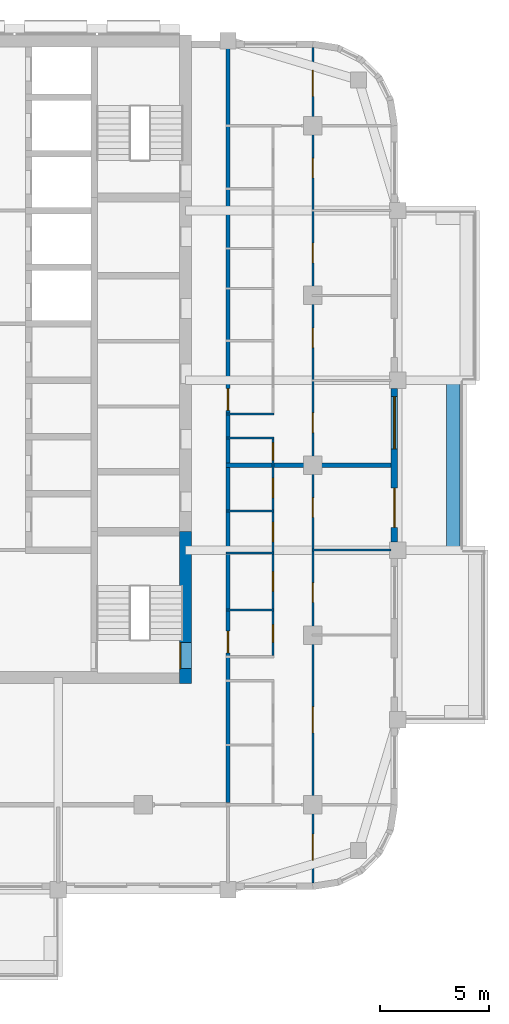
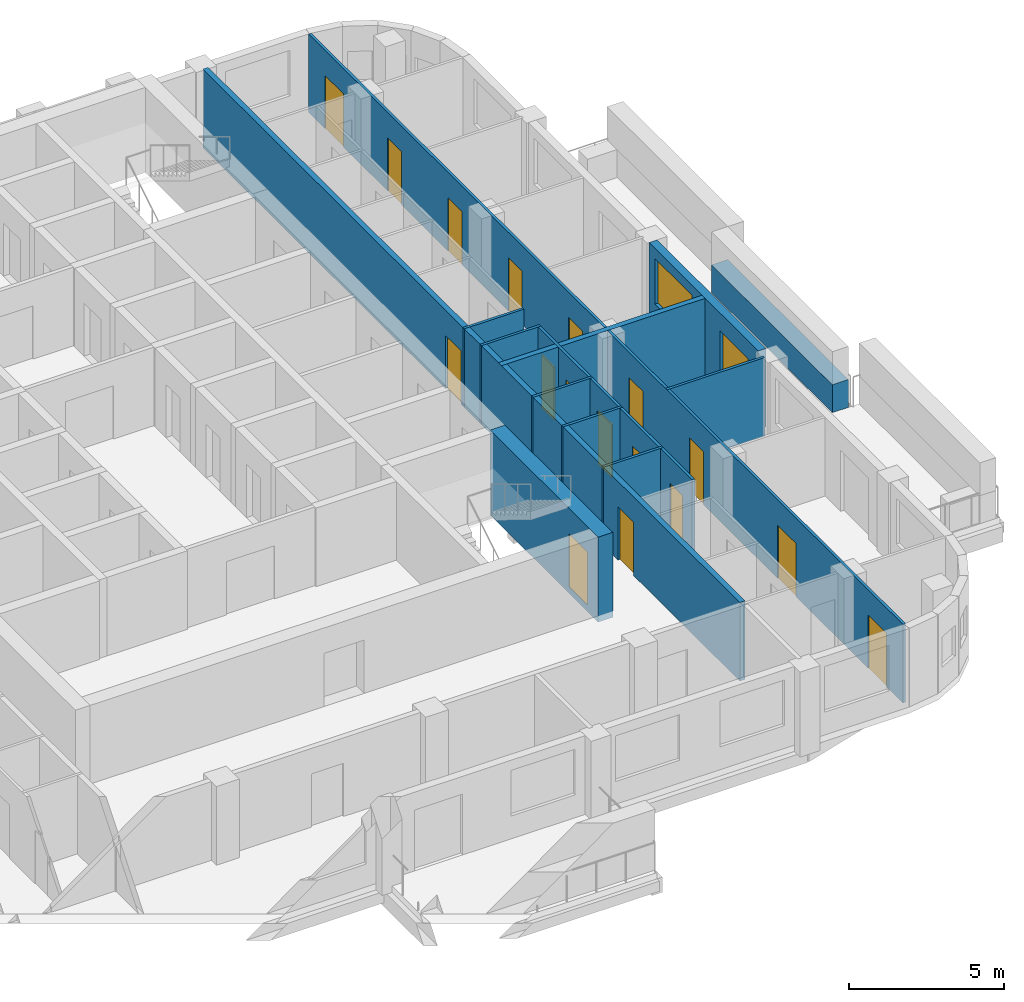
# One storey, part 6 of 13: 18 doors, 13 walls, 1 window, 19 openings.
"""IFC4 building model written with IfcOpenShell, lengths in metres."""

from ifc_helpers import new_model, si_unit, direction, frame, frame_2d, origin, place, context, subcontext, project, spatial, rectangle, extrude, material, layer, layer_set, type_object, element, fill, save


model = new_model("IFC4")

# Units and contexts
model_context = context("Model", 3, precision=1e-05, world=origin(), true_north=direction((0.0, 1.0)))
body_context = subcontext(model_context, "Body", "Model", "MODEL_VIEW")
ifc_project = project(units=[si_unit("LENGTHUNIT", "METRE"), si_unit("AREAUNIT", "SQUARE_METRE"), si_unit("VOLUMEUNIT", "CUBIC_METRE"), si_unit("PLANEANGLEUNIT", "RADIAN"), si_unit("MASSUNIT", "GRAM", prefix="KILO")], contexts=[model_context])

# Site, building, storey
site_placement = place(None, origin())
site = spatial("IfcSite", under=ifc_project, at=site_placement, CompositionType="ELEMENT")
building_placement = place(site_placement, origin())
building = spatial("IfcBuilding", under=site, at=building_placement, Name="Ludao Terraces", CompositionType="ELEMENT")
storey_placement = place(building_placement, frame((0.0, 0.0, 169.0)))
storey = spatial("IfcBuildingStorey", under=building, at=storey_placement, Name="L46", CompositionType="ELEMENT", Elevation=169.0)

# Wall, opening, door
ifc_material_1 = material(Name="Concrete C60", Category="concrete")
ifc_layer_1 = layer(ifc_material_1, 0.550048828125)
ifc_layer_set_1 = layer_set([ifc_layer_1], Name="Core wall 550 C60")
wall_type_1 = type_object("IfcWallType", Name="Core wall 550 C60", PredefinedType="SOLIDWALL", material=ifc_layer_set_1)
wall_1_placement = place(storey_placement, frame((94.75, 54.97509765625, -0.25), z_axis=(0.0, 0.0, 1.0), x_axis=(0.0, 1.0, 0.0)))
wall_1 = element("IfcWall", 1, at=wall_1_placement, inside=storey, type_object=wall_type_1, Name="Core wall L46 outer-E-S3", PredefinedType="SOLIDWALL", context=body_context, shape_type="SweptSolid", body=[
    extrude(rectangle(XDim=6.974853515625, YDim=0.550048828125, at=frame_2d((3.4873046875, 0.0))), origin(), (0.0, 0.0, 1.0), 3.35009765625),
])
opening_1_placement = place(wall_1_placement, frame((0.675048828125, 0.0, 0.25)))
opening_1 = element("IfcOpeningElement", 2, at=opening_1_placement, cuts=wall_1, Name="Opening R16-017", PredefinedType="OPENING", context=body_context, shape_type="SweptSolid", body=[
    extrude(rectangle(XDim=1.199951171875, YDim=2.10009765625, at=frame_2d((0.60009765625, 1.050048828125))), frame((0.0, 0.28515625, 0.0), z_axis=(0.0, -1.0, 0.0), x_axis=(1.0, 0.0, 0.0)), (0.0, 0.0, 1.0), 0.570068359375),
])
ifc_material_2 = material(Name="Steel Q235", Category="steel")
door_type_1 = type_object("IfcDoorType", Name="INT Stair door 1200", OperationType="DOUBLE_DOOR_SINGLE_SWING", PredefinedType="DOOR", material=ifc_material_2)
door_1_placement = place(opening_1_placement, origin())
door_1 = element("IfcDoor", 3, at=door_1_placement, inside=storey, type_object=door_type_1, Name="DOOR 017", OperationType="DOUBLE_DOOR_SINGLE_SWING", OverallHeight=2.10009765625, OverallWidth=1.199951171875, PredefinedType="DOOR", context=body_context, shape_type="SweptSolid", body=[
    extrude(rectangle(XDim=1.199951171875, YDim=2.10009765625, at=frame_2d((0.60009765625, 1.050048828125))), frame((0.0, 0.26025390625, 0.0), z_axis=(0.0, -1.0, 0.0), x_axis=(1.0, 0.0, 0.0)), (0.0, 0.0, 1.0), 0.050048828125),
])
fill(opening_1, door_1)

# Wall
ifc_material_3 = material(Name="Concrete C40", Category="concrete")
ifc_layer_2 = layer(ifc_material_3, 0.60009765625)
ifc_layer_set_2 = layer_set([ifc_layer_2], Name="ENV Planter trough 600")
wall_type_2 = type_object("IfcWallType", Name="ENV Planter trough 600", PredefinedType="USERDEFINED", material=ifc_layer_set_2)
wall_2_placement = place(storey_placement, frame((107.050048828125, 61.10009765625, 0.0), z_axis=(0.0, 0.0, 1.0), x_axis=(0.0, 1.0, 0.0)))
element("IfcWall", 4, at=wall_2_placement, inside=storey, type_object=wall_type_2, Name="PL-L46-E2", ObjectType="PLANTER", PredefinedType="USERDEFINED", context=body_context, shape_type="SweptSolid", body=[
    extrude(rectangle(XDim=7.7998046875, YDim=0.60009765625, at=frame_2d((3.89990234375, 0.0))), origin(), (0.0, 0.0, 1.0), 1.10009765625),
])

# Wall, openings, door, window
ifc_material_4 = material(Name="Granite cladding", Category="masonry")
ifc_layer_3 = layer(ifc_material_4, 0.0400390625, Category="stone")
ifc_material_5 = material(Name="Mineral wool")
ifc_layer_4 = layer(ifc_material_5, 0.06005859375)
ifc_layer_5 = layer(ifc_material_3, 0.199951171875, Category="concrete")
ifc_layer_set_3 = layer_set([ifc_layer_3, ifc_layer_4, ifc_layer_5], Name="ENV Stone-clad wall 300")
wall_type_3 = type_object("IfcWallType", Name="ENV Stone-clad wall 300", PredefinedType="SOLIDWALL", material=ifc_layer_set_3)
wall_3_placement = place(storey_placement, frame((104.35009765625, 61.47509765625, 0.0), z_axis=(0.0, 0.0, 1.0), x_axis=(0.0, 1.0, 0.0)))
wall_3 = element("IfcWall", 5, at=wall_3_placement, inside=storey, type_object=wall_type_3, Name="EW-L46-E3", PredefinedType="SOLIDWALL", context=body_context, shape_type="SweptSolid", body=[
    extrude(rectangle(XDim=7.0498046875, YDim=0.300048828125, at=frame_2d((3.52490234375, 0.0))), origin(), (0.0, 0.0, 1.0), 3.10009765625),
])
opening_2_placement = place(wall_3_placement, frame((0.675048828125, 0.0, 0.0)))
opening_2 = element("IfcOpeningElement", 6, at=opening_2_placement, cuts=wall_3, Name="Opening BD", PredefinedType="OPENING", context=body_context, shape_type="SweptSolid", body=[
    extrude(rectangle(XDim=1.800048828125, YDim=2.39990234375, at=frame_2d((0.89990234375, 1.199951171875))), frame((0.0, 0.16015625, 0.0), z_axis=(0.0, -1.0, 0.0), x_axis=(1.0, 0.0, 0.0)), (0.0, 0.0, 1.0), 0.320068359375),
])
opening_3_placement = place(wall_3_placement, frame((4.27490234375, 0.0, 0.89990234375)))
opening_3 = element("IfcOpeningElement", 7, at=opening_3_placement, cuts=wall_3, Name="Opening W1", PredefinedType="OPENING", context=body_context, shape_type="SweptSolid", body=[
    extrude(rectangle(XDim=2.39990234375, YDim=1.800048828125, at=frame_2d((1.199951171875, 0.89990234375))), frame((0.0, 0.16015625, 0.0), z_axis=(0.0, -1.0, 0.0), x_axis=(1.0, 0.0, 0.0)), (0.0, 0.0, 1.0), 0.320068359375),
])
ifc_material_6 = material(Name="Aluminium glazed door", Category="aluminium")
ifc_layer_6 = layer(ifc_material_6, 0.06005859375)
ifc_layer_set_4 = layer_set([ifc_layer_6], Name="ENV Balcony door BD 1800x2400")
door_type_2 = type_object("IfcDoorType", Name="ENV Balcony door BD 1800x2400", OperationType="DOUBLE_DOOR_SINGLE_SWING", PredefinedType="DOOR", material=ifc_layer_set_4)
door_2_placement = place(opening_2_placement, origin())
door_2 = element("IfcDoor", 8, at=door_2_placement, inside=storey, type_object=door_type_2, Name="BD-L46-E3-1", OperationType="DOUBLE_DOOR_SINGLE_SWING", OverallHeight=2.39990234375, OverallWidth=1.800048828125, PredefinedType="DOOR", context=body_context, shape_type="SweptSolid", body=[
    extrude(rectangle(XDim=1.800048828125, YDim=2.39990234375, at=frame_2d((0.89990234375, 1.199951171875))), frame((0.0, 0.02490234375, 0.0), z_axis=(0.0, -1.0, 0.0), x_axis=(1.0, 0.0, 0.0)), (0.0, 0.0, 1.0), 0.050048828125),
])
fill(opening_2, door_2)
ifc_material_7 = material(Name="Clear glass in aluminium frame", Category="aluminium")
ifc_layer_7 = layer(ifc_material_7, 0.06005859375)
ifc_layer_set_5 = layer_set([ifc_layer_7], Name="ENV Window W1 2400x1800")
window_type = type_object("IfcWindowType", Name="ENV Window W1 2400x1800", PartitioningType="DOUBLE_PANEL_VERTICAL", PredefinedType="WINDOW", material=ifc_layer_set_5)
window_placement = place(opening_3_placement, origin())
window = element("IfcWindow", 9, at=window_placement, inside=storey, type_object=window_type, Name="W-L46-E3-2", OverallHeight=1.800048828125, OverallWidth=2.39990234375, PartitioningType="DOUBLE_PANEL_VERTICAL", PredefinedType="WINDOW", context=body_context, shape_type="SweptSolid", body=[
    extrude(rectangle(XDim=2.39990234375, YDim=1.800048828125, at=frame_2d((1.199951171875, 0.89990234375))), frame((0.0, 0.030029296875, 0.0), z_axis=(0.0, -1.0, 0.0), x_axis=(1.0, 0.0, 0.0)), (0.0, 0.0, 1.0), 0.06005859375),
])
fill(opening_3, window)

# Wall, openings, doors
ifc_material_8 = material(Name="Autoclaved aerated concrete block B06 A3.5", Category="concrete")
ifc_layer_8 = layer(ifc_material_8, 0.199951171875)
ifc_layer_set_6 = layer_set([ifc_layer_8], Name="INT Entrance wall 200")
wall_type_4 = type_object("IfcWallType", Name="INT Entrance wall 200", PredefinedType="PARTITIONING", material=ifc_layer_set_6)
wall_4_placement = place(storey_placement, frame((96.699951171875, 49.5, 0.0), z_axis=(0.0, 0.0, 1.0), x_axis=(0.0, 1.0, 0.0)))
wall_4 = element("IfcWall", 10, at=wall_4_placement, inside=storey, type_object=wall_type_4, Name="PW-L46-PW058", PredefinedType="PARTITIONING", context=body_context, shape_type="SweptSolid", body=[
    extrude(rectangle(XDim=34.7001953125, YDim=0.199951171875, at=frame_2d((17.35009765625, 0.0))), origin(), (0.0, 0.0, 1.0), 3.10009765625),
])
opening_4_placement = place(wall_4_placement, frame((6.875, 0.0, 0.0)))
opening_4 = element("IfcOpeningElement", 11, at=opening_4_placement, cuts=wall_4, Name="Opening R16-018", PredefinedType="OPENING", context=body_context, shape_type="SweptSolid", body=[
    extrude(rectangle(XDim=1.0, YDim=2.10009765625, at=frame_2d((0.5, 1.050048828125))), frame((0.0, 0.10986328125, 0.0), z_axis=(0.0, -1.0, 0.0), x_axis=(1.0, 0.0, 0.0)), (0.0, 0.0, 1.0), 0.219970703125),
])
opening_5_placement = place(wall_4_placement, frame((18.025146484375, 0.0, 0.0)))
opening_5 = element("IfcOpeningElement", 12, at=opening_5_placement, cuts=wall_4, Name="Opening R16-046", PredefinedType="OPENING", context=body_context, shape_type="SweptSolid", body=[
    extrude(rectangle(XDim=1.0, YDim=2.10009765625, at=frame_2d((0.5, 1.050048828125))), frame((0.0, 0.10986328125, 0.0), z_axis=(0.0, -1.0, 0.0), x_axis=(1.0, 0.0, 0.0)), (0.0, 0.0, 1.0), 0.219970703125),
])
door_type_3 = type_object("IfcDoorType", Name="INT Flat entrance door 1000", OperationType="SINGLE_SWING_LEFT", PredefinedType="DOOR", material=ifc_material_2)
door_3_placement = place(opening_4_placement, origin())
door_3 = element("IfcDoor", 13, at=door_3_placement, inside=storey, type_object=door_type_3, Name="DOOR 018", OperationType="SINGLE_SWING_LEFT", OverallHeight=2.10009765625, OverallWidth=1.0, PredefinedType="DOOR", context=body_context, shape_type="SweptSolid", body=[
    extrude(rectangle(XDim=1.0, YDim=2.10009765625, at=frame_2d((0.5, 1.050048828125))), frame((0.0, 0.02490234375, 0.0), z_axis=(0.0, -1.0, 0.0), x_axis=(1.0, 0.0, 0.0)), (0.0, 0.0, 1.0), 0.050048828125),
])
fill(opening_4, door_3)
door_4_placement = place(opening_5_placement, origin())
door_4 = element("IfcDoor", 14, at=door_4_placement, inside=storey, type_object=door_type_3, Name="DOOR 046", OperationType="SINGLE_SWING_LEFT", OverallHeight=2.10009765625, OverallWidth=1.0, PredefinedType="DOOR", context=body_context, shape_type="SweptSolid", body=[
    extrude(rectangle(XDim=1.0, YDim=2.10009765625, at=frame_2d((0.5, 1.050048828125))), frame((0.0, 0.02490234375, 0.0), z_axis=(0.0, -1.0, 0.0), x_axis=(1.0, 0.0, 0.0)), (0.0, 0.0, 1.0), 0.050048828125),
])
fill(opening_5, door_4)

# Walls
ifc_material_9 = material(Name="Gypsum plasterboard", Category="gypsum")
ifc_layer_9 = layer(ifc_material_9, 0.012451171875, Category="gypsum")
ifc_layer_10 = layer(ifc_material_5, 0.06005859375, Name="insulation")
ifc_layer_11 = layer(ifc_material_2, 0.014892578125, Name="stud")
ifc_layer_12 = layer(ifc_material_9, 0.012451171875, Category="gypsum")
ifc_layer_set_7 = layer_set([ifc_layer_9, ifc_layer_10, ifc_layer_11, ifc_layer_12], Name="INT Partition 100")
wall_type_5 = type_object("IfcWallType", Name="INT Partition 100", PredefinedType="PARTITIONING", material=ifc_layer_set_7)
for number, where, z_axis, x_axis, name in (
    (15, (96.60009765625, 58.35009765625, 0.0), (0.0, 0.0, 1.0), (1.0, 0.0, 0.0), "PW-L46-PW012"),
    (16, (96.60009765625, 60.969970703125, 0.0), (0.0, 0.0, 1.0), (1.0, 0.0, 0.0), "PW-L46-PW014"),
):
    element("IfcWall", number, at=place(storey_placement, frame(where, z_axis=z_axis, x_axis=x_axis)), inside=storey, type_object=wall_type_5, Name=name, PredefinedType="PARTITIONING", context=body_context, shape_type="SweptSolid", body=[
        extrude(rectangle(XDim=2.219970703125, YDim=0.10009765625, at=frame_2d((1.10986328125, 0.0))), origin(), (0.0, 0.0, 1.0), 3.10009765625),
    ])
wall_5_placement = place(storey_placement, frame((100.550048828125, 61.10009765625, 0.0), z_axis=(0.0, 0.0, 1.0), x_axis=(1.0, 0.0, 0.0)))
element("IfcWall", 17, at=wall_5_placement, inside=storey, type_object=wall_type_5, Name="PW-L46-PW017", PredefinedType="PARTITIONING", context=body_context, shape_type="SweptSolid", body=[
    extrude(rectangle(XDim=3.650146484375, YDim=0.10009765625, at=frame_2d((1.8251953125, 0.0))), origin(), (0.0, 0.0, 1.0), 3.10009765625),
])
for number, where, z_axis, x_axis, name in (
    (18, (96.60009765625, 62.89990234375, 0.0), (0.0, 0.0, 1.0), (1.0, 0.0, 0.0), "PW-L46-PW019"),
    (19, (96.60009765625, 66.25, 0.0), (0.0, 0.0, 1.0), (1.0, 0.0, 0.0), "PW-L46-PW023"),
    (20, (96.60009765625, 67.35009765625, 0.0), (0.0, 0.0, 1.0), (1.0, 0.0, 0.0), "PW-L46-PW025"),
):
    element("IfcWall", number, at=place(storey_placement, frame(where, z_axis=z_axis, x_axis=x_axis)), inside=storey, type_object=wall_type_5, Name=name, PredefinedType="PARTITIONING", context=body_context, shape_type="SweptSolid", body=[
        extrude(rectangle(XDim=2.219970703125, YDim=0.10009765625, at=frame_2d((1.10986328125, 0.0))), origin(), (0.0, 0.0, 1.0), 3.10009765625),
    ])

# Wall, openings, doors
wall_6_placement = place(storey_placement, frame((98.77001953125, 56.25, 0.0), z_axis=(0.0, 0.0, 1.0), x_axis=(0.0, 1.0, 0.0)))
wall_6 = element("IfcWall", 21, at=wall_6_placement, inside=storey, type_object=wall_type_5, Name="PW-L46-PW060", PredefinedType="PARTITIONING", context=body_context, shape_type="SweptSolid", body=[
    extrude(rectangle(XDim=9.9501953125, YDim=0.10009765625, at=frame_2d((4.97509765625, 0.0))), origin(), (0.0, 0.0, 1.0), 3.10009765625),
])
opening_6_placement = place(wall_6_placement, frame((0.625, 0.0, 0.0)))
opening_6 = element("IfcOpeningElement", 22, at=opening_6_placement, cuts=wall_6, Name="Opening R16-019", PredefinedType="OPENING", context=body_context, shape_type="SweptSolid", body=[
    extrude(rectangle(XDim=0.800048828125, YDim=2.10009765625, at=frame_2d((0.39990234375, 1.050048828125))), frame((0.0, 0.06005859375, 0.0), z_axis=(0.0, -1.0, 0.0), x_axis=(1.0, 0.0, 0.0)), (0.0, 0.0, 1.0), 0.1201171875),
])
opening_7_placement = place(wall_6_placement, frame((2.960205078125, 0.0, 0.0)))
opening_7 = element("IfcOpeningElement", 23, at=opening_7_placement, cuts=wall_6, Name="Opening R16-023", PredefinedType="OPENING", context=body_context, shape_type="SweptSolid", body=[
    extrude(rectangle(XDim=0.89990234375, YDim=2.10009765625, at=frame_2d((0.449951171875, 1.050048828125))), frame((0.0, 0.06005859375, 0.0), z_axis=(0.0, -1.0, 0.0), x_axis=(1.0, 0.0, 0.0)), (0.0, 0.0, 1.0), 0.1201171875),
])
opening_8_placement = place(wall_6_placement, frame((5.235107421875, 0.0, 0.0)))
opening_8 = element("IfcOpeningElement", 24, at=opening_8_placement, cuts=wall_6, Name="Opening R16-026", PredefinedType="OPENING", context=body_context, shape_type="SweptSolid", body=[
    extrude(rectangle(XDim=0.89990234375, YDim=2.10009765625, at=frame_2d((0.449951171875, 1.050048828125))), frame((0.0, 0.06005859375, 0.0), z_axis=(0.0, -1.0, 0.0), x_axis=(1.0, 0.0, 0.0)), (0.0, 0.0, 1.0), 0.1201171875),
])
opening_9_placement = place(wall_6_placement, frame((7.25, 0.0, 0.0)))
opening_9 = element("IfcOpeningElement", 25, at=opening_9_placement, cuts=wall_6, Name="Opening R16-033", PredefinedType="OPENING", context=body_context, shape_type="SweptSolid", body=[
    extrude(rectangle(XDim=0.89990234375, YDim=2.10009765625, at=frame_2d((0.449951171875, 1.050048828125))), frame((0.0, 0.06005859375, 0.0), z_axis=(0.0, -1.0, 0.0), x_axis=(1.0, 0.0, 0.0)), (0.0, 0.0, 1.0), 0.1201171875),
])
opening_10_placement = place(wall_6_placement, frame((8.97509765625, 0.0, 0.0)))
opening_10 = element("IfcOpeningElement", 26, at=opening_10_placement, cuts=wall_6, Name="Opening R16-038", PredefinedType="OPENING", context=body_context, shape_type="SweptSolid", body=[
    extrude(rectangle(XDim=0.800048828125, YDim=2.10009765625, at=frame_2d((0.39990234375, 1.050048828125))), frame((0.0, 0.06005859375, 0.0), z_axis=(0.0, -1.0, 0.0), x_axis=(1.0, 0.0, 0.0)), (0.0, 0.0, 1.0), 0.1201171875),
])
ifc_material_10 = material(Name="Timber door leaf", Category="wood")
door_type_4 = type_object("IfcDoorType", Name="INT Bathroom door 900", OperationType="SINGLE_SWING_LEFT", PredefinedType="DOOR", material=ifc_material_10)
door_5_placement = place(opening_8_placement, origin())
door_5 = element("IfcDoor", 27, at=door_5_placement, inside=storey, type_object=door_type_4, Name="DOOR 026", OperationType="SINGLE_SWING_RIGHT", OverallHeight=2.10009765625, OverallWidth=0.89990234375, PredefinedType="DOOR", context=body_context, shape_type="SweptSolid", body=[
    extrude(rectangle(XDim=0.89990234375, YDim=2.10009765625, at=frame_2d((0.449951171875, 1.050048828125))), frame((0.0, 0.02490234375, 0.0), z_axis=(0.0, -1.0, 0.0), x_axis=(1.0, 0.0, 0.0)), (0.0, 0.0, 1.0), 0.050048828125),
])
fill(opening_8, door_5)
door_6_placement = place(opening_9_placement, origin())
door_6 = element("IfcDoor", 28, at=door_6_placement, inside=storey, type_object=door_type_4, Name="DOOR 033", OperationType="SINGLE_SWING_LEFT", OverallHeight=2.10009765625, OverallWidth=0.89990234375, PredefinedType="DOOR", context=body_context, shape_type="SweptSolid", body=[
    extrude(rectangle(XDim=0.89990234375, YDim=2.10009765625, at=frame_2d((0.449951171875, 1.050048828125))), frame((0.0, 0.02490234375, 0.0), z_axis=(0.0, -1.0, 0.0), x_axis=(1.0, 0.0, 0.0)), (0.0, 0.0, 1.0), 0.050048828125),
])
fill(opening_9, door_6)
door_type_5 = type_object("IfcDoorType", Name="INT Room door 900", OperationType="SINGLE_SWING_LEFT", PredefinedType="DOOR", material=ifc_material_10)
door_7_placement = place(opening_7_placement, origin())
door_7 = element("IfcDoor", 29, at=door_7_placement, inside=storey, type_object=door_type_5, Name="DOOR 023", OperationType="SINGLE_SWING_LEFT", OverallHeight=2.10009765625, OverallWidth=0.89990234375, PredefinedType="DOOR", context=body_context, shape_type="SweptSolid", body=[
    extrude(rectangle(XDim=0.89990234375, YDim=2.10009765625, at=frame_2d((0.449951171875, 1.050048828125))), frame((0.0, 0.02490234375, 0.0), z_axis=(0.0, -1.0, 0.0), x_axis=(1.0, 0.0, 0.0)), (0.0, 0.0, 1.0), 0.050048828125),
])
fill(opening_7, door_7)
door_type_6 = type_object("IfcDoorType", Name="INT Store door 800", OperationType="SINGLE_SWING_LEFT", PredefinedType="DOOR", material=ifc_material_10)
door_8_placement = place(opening_6_placement, origin())
door_8 = element("IfcDoor", 30, at=door_8_placement, inside=storey, type_object=door_type_6, Name="DOOR 019", OperationType="SINGLE_SWING_RIGHT", OverallHeight=2.10009765625, OverallWidth=0.800048828125, PredefinedType="DOOR", context=body_context, shape_type="SweptSolid", body=[
    extrude(rectangle(XDim=0.800048828125, YDim=2.10009765625, at=frame_2d((0.39990234375, 1.050048828125))), frame((0.0, 0.02490234375, 0.0), z_axis=(0.0, -1.0, 0.0), x_axis=(1.0, 0.0, 0.0)), (0.0, 0.0, 1.0), 0.050048828125),
])
fill(opening_6, door_8)
door_9_placement = place(opening_10_placement, origin())
door_9 = element("IfcDoor", 31, at=door_9_placement, inside=storey, type_object=door_type_6, Name="DOOR 038", OperationType="SINGLE_SWING_LEFT", OverallHeight=2.10009765625, OverallWidth=0.800048828125, PredefinedType="DOOR", context=body_context, shape_type="SweptSolid", body=[
    extrude(rectangle(XDim=0.800048828125, YDim=2.10009765625, at=frame_2d((0.39990234375, 1.050048828125))), frame((0.0, 0.02490234375, 0.0), z_axis=(0.0, -1.0, 0.0), x_axis=(1.0, 0.0, 0.0)), (0.0, 0.0, 1.0), 0.050048828125),
])
fill(opening_10, door_9)

wall_7_placement = place(storey_placement, frame((100.60009765625, 45.800048828125, 0.0), z_axis=(0.0, 0.0, 1.0), x_axis=(0.0, 1.0, 0.0)))
wall_7 = element("IfcWall", 32, at=wall_7_placement, inside=storey, type_object=wall_type_5, Name="PW-L46-PW062", PredefinedType="PARTITIONING", context=body_context, shape_type="SweptSolid", body=[
    extrude(rectangle(XDim=38.400146484375, YDim=0.10009765625, at=frame_2d((19.2001953125, 0.0))), origin(), (0.0, 0.0, 1.0), 3.10009765625),
])
opening_11_placement = place(wall_7_placement, frame((1.050048828125, 0.0, 0.0)))
opening_11 = element("IfcOpeningElement", 33, at=opening_11_placement, cuts=wall_7, Name="Opening R16-002", PredefinedType="OPENING", context=body_context, shape_type="SweptSolid", body=[
    extrude(rectangle(XDim=1.199951171875, YDim=2.10009765625, at=frame_2d((0.60009765625, 1.050048828125))), frame((0.0, 0.06005859375, 0.0), z_axis=(0.0, -1.0, 0.0), x_axis=(1.0, 0.0, 0.0)), (0.0, 0.0, 1.0), 0.1201171875),
])
opening_12_placement = place(wall_7_placement, frame((6.89990234375, 0.0, 0.0)))
opening_12 = element("IfcOpeningElement", 34, at=opening_12_placement, cuts=wall_7, Name="Opening R16-011", PredefinedType="OPENING", context=body_context, shape_type="SweptSolid", body=[
    extrude(rectangle(XDim=1.199951171875, YDim=2.10009765625, at=frame_2d((0.60009765625, 1.050048828125))), frame((0.0, 0.06005859375, 0.0), z_axis=(0.0, -1.0, 0.0), x_axis=(1.0, 0.0, 0.0)), (0.0, 0.0, 1.0), 0.1201171875),
])
opening_13_placement = place(wall_7_placement, frame((12.89990234375, 0.0, 0.0)))
opening_13 = element("IfcOpeningElement", 35, at=opening_13_placement, cuts=wall_7, Name="Opening R16-022", PredefinedType="OPENING", context=body_context, shape_type="SweptSolid", body=[
    extrude(rectangle(XDim=0.89990234375, YDim=2.10009765625, at=frame_2d((0.449951171875, 1.050048828125))), frame((0.0, 0.06005859375, 0.0), z_axis=(0.0, -1.0, 0.0), x_axis=(1.0, 0.0, 0.0)), (0.0, 0.0, 1.0), 0.1201171875),
])
opening_14_placement = place(wall_7_placement, frame((16.800048828125, 0.0, 0.0)))
opening_14 = element("IfcOpeningElement", 36, at=opening_14_placement, cuts=wall_7, Name="Opening R16-031", PredefinedType="OPENING", context=body_context, shape_type="SweptSolid", body=[
    extrude(rectangle(XDim=0.89990234375, YDim=2.10009765625, at=frame_2d((0.449951171875, 1.050048828125))), frame((0.0, 0.06005859375, 0.0), z_axis=(0.0, -1.0, 0.0), x_axis=(1.0, 0.0, 0.0)), (0.0, 0.0, 1.0), 0.1201171875),
])
opening_15_placement = place(wall_7_placement, frame((20.699951171875, 0.0, 0.0)))
opening_15 = element("IfcOpeningElement", 37, at=opening_15_placement, cuts=wall_7, Name="Opening R16-043", PredefinedType="OPENING", context=body_context, shape_type="SweptSolid", body=[
    extrude(rectangle(XDim=0.89990234375, YDim=2.10009765625, at=frame_2d((0.449951171875, 1.050048828125))), frame((0.0, 0.06005859375, 0.0), z_axis=(0.0, -1.0, 0.0), x_axis=(1.0, 0.0, 0.0)), (0.0, 0.0, 1.0), 0.1201171875),
])
opening_16_placement = place(wall_7_placement, frame((24.60009765625, 0.0, 0.0)))
opening_16 = element("IfcOpeningElement", 38, at=opening_16_placement, cuts=wall_7, Name="Opening R16-054", PredefinedType="OPENING", context=body_context, shape_type="SweptSolid", body=[
    extrude(rectangle(XDim=0.89990234375, YDim=2.10009765625, at=frame_2d((0.449951171875, 1.050048828125))), frame((0.0, 0.06005859375, 0.0), z_axis=(0.0, -1.0, 0.0), x_axis=(1.0, 0.0, 0.0)), (0.0, 0.0, 1.0), 0.1201171875),
])
opening_17_placement = place(wall_7_placement, frame((28.5, 0.0, 0.0)))
opening_17 = element("IfcOpeningElement", 39, at=opening_17_placement, cuts=wall_7, Name="Opening R16-066", PredefinedType="OPENING", context=body_context, shape_type="SweptSolid", body=[
    extrude(rectangle(XDim=0.89990234375, YDim=2.10009765625, at=frame_2d((0.449951171875, 1.050048828125))), frame((0.0, 0.06005859375, 0.0), z_axis=(0.0, -1.0, 0.0), x_axis=(1.0, 0.0, 0.0)), (0.0, 0.0, 1.0), 0.1201171875),
])
opening_18_placement = place(wall_7_placement, frame((32.39990234375, 0.0, 0.0)))
opening_18 = element("IfcOpeningElement", 40, at=opening_18_placement, cuts=wall_7, Name="Opening R16-079", PredefinedType="OPENING", context=body_context, shape_type="SweptSolid", body=[
    extrude(rectangle(XDim=0.89990234375, YDim=2.10009765625, at=frame_2d((0.449951171875, 1.050048828125))), frame((0.0, 0.06005859375, 0.0), z_axis=(0.0, -1.0, 0.0), x_axis=(1.0, 0.0, 0.0)), (0.0, 0.0, 1.0), 0.1201171875),
])
opening_19_placement = place(wall_7_placement, frame((36.14990234375, 0.0, 0.0)))
opening_19 = element("IfcOpeningElement", 41, at=opening_19_placement, cuts=wall_7, Name="Opening R16-088", PredefinedType="OPENING", context=body_context, shape_type="SweptSolid", body=[
    extrude(rectangle(XDim=1.199951171875, YDim=2.10009765625, at=frame_2d((0.60009765625, 1.050048828125))), frame((0.0, 0.06005859375, 0.0), z_axis=(0.0, -1.0, 0.0), x_axis=(1.0, 0.0, 0.0)), (0.0, 0.0, 1.0), 0.1201171875),
])
door_type_7 = type_object("IfcDoorType", Name="INT Double door 1200", OperationType="DOUBLE_DOOR_SINGLE_SWING", PredefinedType="DOOR", material=ifc_material_10)
door_10_placement = place(opening_11_placement, origin())
door_10 = element("IfcDoor", 42, at=door_10_placement, inside=storey, type_object=door_type_7, Name="DOOR 002", OperationType="DOUBLE_DOOR_SINGLE_SWING", OverallHeight=2.10009765625, OverallWidth=1.199951171875, PredefinedType="DOOR", context=body_context, shape_type="SweptSolid", body=[
    extrude(rectangle(XDim=1.199951171875, YDim=2.10009765625, at=frame_2d((0.60009765625, 1.050048828125))), frame((0.0, 0.02490234375, 0.0), z_axis=(0.0, -1.0, 0.0), x_axis=(1.0, 0.0, 0.0)), (0.0, 0.0, 1.0), 0.050048828125),
])
fill(opening_11, door_10)
door_11_placement = place(opening_12_placement, origin())
door_11 = element("IfcDoor", 43, at=door_11_placement, inside=storey, type_object=door_type_7, Name="DOOR 011", OperationType="DOUBLE_DOOR_SINGLE_SWING", OverallHeight=2.10009765625, OverallWidth=1.199951171875, PredefinedType="DOOR", context=body_context, shape_type="SweptSolid", body=[
    extrude(rectangle(XDim=1.199951171875, YDim=2.10009765625, at=frame_2d((0.60009765625, 1.050048828125))), frame((0.0, 0.02490234375, 0.0), z_axis=(0.0, -1.0, 0.0), x_axis=(1.0, 0.0, 0.0)), (0.0, 0.0, 1.0), 0.050048828125),
])
fill(opening_12, door_11)
door_12_placement = place(opening_19_placement, origin())
door_12 = element("IfcDoor", 44, at=door_12_placement, inside=storey, type_object=door_type_7, Name="DOOR 088", OperationType="DOUBLE_DOOR_SINGLE_SWING", OverallHeight=2.10009765625, OverallWidth=1.199951171875, PredefinedType="DOOR", context=body_context, shape_type="SweptSolid", body=[
    extrude(rectangle(XDim=1.199951171875, YDim=2.10009765625, at=frame_2d((0.60009765625, 1.050048828125))), frame((0.0, 0.02490234375, 0.0), z_axis=(0.0, -1.0, 0.0), x_axis=(1.0, 0.0, 0.0)), (0.0, 0.0, 1.0), 0.050048828125),
])
fill(opening_19, door_12)
door_13_placement = place(opening_13_placement, origin())
door_13 = element("IfcDoor", 45, at=door_13_placement, inside=storey, type_object=door_type_5, Name="DOOR 022", OperationType="SINGLE_SWING_LEFT", OverallHeight=2.10009765625, OverallWidth=0.89990234375, PredefinedType="DOOR", context=body_context, shape_type="SweptSolid", body=[
    extrude(rectangle(XDim=0.89990234375, YDim=2.10009765625, at=frame_2d((0.449951171875, 1.050048828125))), frame((0.0, 0.02490234375, 0.0), z_axis=(0.0, -1.0, 0.0), x_axis=(1.0, 0.0, 0.0)), (0.0, 0.0, 1.0), 0.050048828125),
])
fill(opening_13, door_13)
door_14_placement = place(opening_14_placement, origin())
door_14 = element("IfcDoor", 46, at=door_14_placement, inside=storey, type_object=door_type_5, Name="DOOR 031", OperationType="SINGLE_SWING_RIGHT", OverallHeight=2.10009765625, OverallWidth=0.89990234375, PredefinedType="DOOR", context=body_context, shape_type="SweptSolid", body=[
    extrude(rectangle(XDim=0.89990234375, YDim=2.10009765625, at=frame_2d((0.449951171875, 1.050048828125))), frame((0.0, 0.02490234375, 0.0), z_axis=(0.0, -1.0, 0.0), x_axis=(1.0, 0.0, 0.0)), (0.0, 0.0, 1.0), 0.050048828125),
])
fill(opening_14, door_14)
door_15_placement = place(opening_15_placement, origin())
door_15 = element("IfcDoor", 47, at=door_15_placement, inside=storey, type_object=door_type_5, Name="DOOR 043", OperationType="SINGLE_SWING_RIGHT", OverallHeight=2.10009765625, OverallWidth=0.89990234375, PredefinedType="DOOR", context=body_context, shape_type="SweptSolid", body=[
    extrude(rectangle(XDim=0.89990234375, YDim=2.10009765625, at=frame_2d((0.449951171875, 1.050048828125))), frame((0.0, 0.02490234375, 0.0), z_axis=(0.0, -1.0, 0.0), x_axis=(1.0, 0.0, 0.0)), (0.0, 0.0, 1.0), 0.050048828125),
])
fill(opening_15, door_15)
door_16_placement = place(opening_16_placement, origin())
door_16 = element("IfcDoor", 48, at=door_16_placement, inside=storey, type_object=door_type_5, Name="DOOR 054", OperationType="SINGLE_SWING_LEFT", OverallHeight=2.10009765625, OverallWidth=0.89990234375, PredefinedType="DOOR", context=body_context, shape_type="SweptSolid", body=[
    extrude(rectangle(XDim=0.89990234375, YDim=2.10009765625, at=frame_2d((0.449951171875, 1.050048828125))), frame((0.0, 0.02490234375, 0.0), z_axis=(0.0, -1.0, 0.0), x_axis=(1.0, 0.0, 0.0)), (0.0, 0.0, 1.0), 0.050048828125),
])
fill(opening_16, door_16)
door_17_placement = place(opening_17_placement, origin())
door_17 = element("IfcDoor", 49, at=door_17_placement, inside=storey, type_object=door_type_5, Name="DOOR 066", OperationType="SINGLE_SWING_RIGHT", OverallHeight=2.10009765625, OverallWidth=0.89990234375, PredefinedType="DOOR", context=body_context, shape_type="SweptSolid", body=[
    extrude(rectangle(XDim=0.89990234375, YDim=2.10009765625, at=frame_2d((0.449951171875, 1.050048828125))), frame((0.0, 0.02490234375, 0.0), z_axis=(0.0, -1.0, 0.0), x_axis=(1.0, 0.0, 0.0)), (0.0, 0.0, 1.0), 0.050048828125),
])
fill(opening_17, door_17)
door_18_placement = place(opening_18_placement, origin())
door_18 = element("IfcDoor", 50, at=door_18_placement, inside=storey, type_object=door_type_5, Name="DOOR 079", OperationType="SINGLE_SWING_RIGHT", OverallHeight=2.10009765625, OverallWidth=0.89990234375, PredefinedType="DOOR", context=body_context, shape_type="SweptSolid", body=[
    extrude(rectangle(XDim=0.89990234375, YDim=2.10009765625, at=frame_2d((0.449951171875, 1.050048828125))), frame((0.0, 0.02490234375, 0.0), z_axis=(0.0, -1.0, 0.0), x_axis=(1.0, 0.0, 0.0)), (0.0, 0.0, 1.0), 0.050048828125),
])
fill(opening_18, door_18)

# Wall
ifc_layer_13 = layer(ifc_material_8, 0.199951171875)
ifc_layer_set_8 = layer_set([ifc_layer_13], Name="INT Party wall 200")
wall_type_6 = type_object("IfcWallType", Name="INT Party wall 200", PredefinedType="PARTITIONING", material=ifc_layer_set_8)
wall_8_placement = place(storey_placement, frame((96.60009765625, 65.0, 0.0), z_axis=(0.0, 0.0, 1.0), x_axis=(1.0, 0.0, 0.0)))
element("IfcWall", 51, at=wall_8_placement, inside=storey, type_object=wall_type_6, Name="PW-L46-PW022", PredefinedType="PARTITIONING", context=body_context, shape_type="SweptSolid", body=[
    extrude(rectangle(XDim=7.60009765625, YDim=0.199951171875, at=frame_2d((3.800048828125, 0.0))), origin(), (0.0, 0.0, 1.0), 3.10009765625),
])

save(model, "model.ifc")
